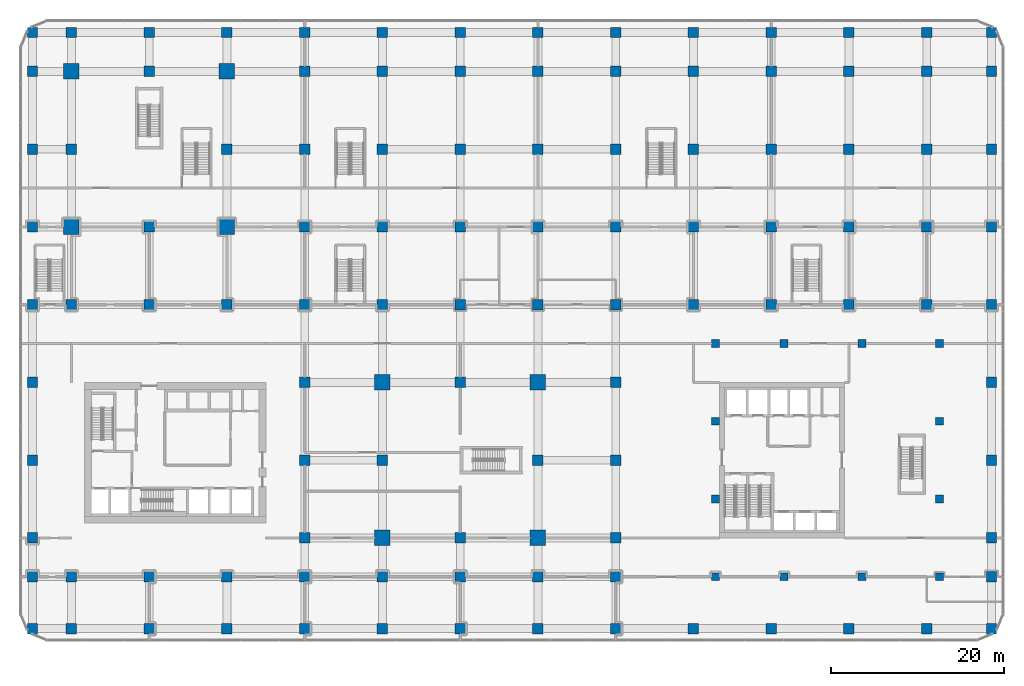
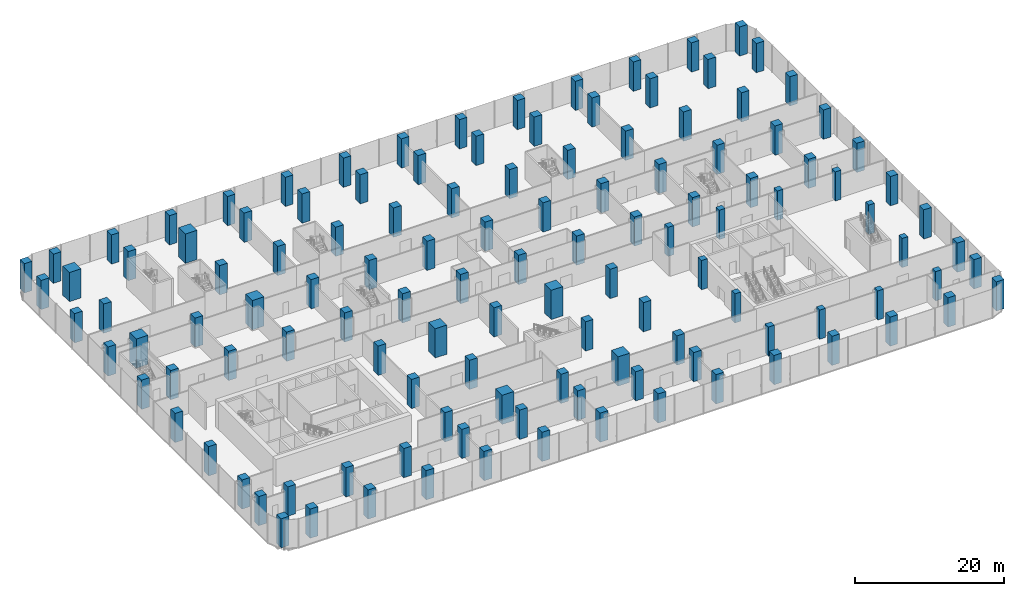
# One storey, part 1 of 42: 125 columns.
"""IFC4 building model written with IfcOpenShell, lengths in metres."""

from ifc_helpers import new_model, si_unit, direction, frame, origin, origin_2d, place, context, subcontext, project, spatial, rectangle, extrude, material, material_profile, profile_set, type_object, element, save


model = new_model("IFC4")

# Units and contexts
model_context = context("Model", 3, precision=1e-05, world=origin(), true_north=direction((0.0, 1.0)))
body_context = subcontext(model_context, "Body", "Model", "MODEL_VIEW")
ifc_project = project(units=[si_unit("LENGTHUNIT", "METRE"), si_unit("AREAUNIT", "SQUARE_METRE"), si_unit("VOLUMEUNIT", "CUBIC_METRE"), si_unit("PLANEANGLEUNIT", "RADIAN"), si_unit("MASSUNIT", "GRAM", prefix="KILO")], contexts=[model_context])

# Site, building, storey
site_placement = place(None, origin())
site = spatial("IfcSite", under=ifc_project, at=site_placement, CompositionType="ELEMENT")
building_placement = place(site_placement, origin())
building = spatial("IfcBuilding", under=site, at=building_placement, Name="Plateau Cross Towers", CompositionType="ELEMENT")
storey_placement = place(building_placement, frame((0.0, 0.0, 8.0)))
storey = spatial("IfcBuildingStorey", under=building, at=storey_placement, Name="L01", CompositionType="ELEMENT", Elevation=8.0)

# Columns
ifc_material = material(Name="Concrete C60/75", Category="concrete")
ifc_material_profile_1 = material_profile(ifc_material, rectangle(XDim=0.89990234375, YDim=0.89990234375, at=origin_2d()), Name="RC 900x900")
ifc_profile_set_1 = profile_set([ifc_material_profile_1], Name="Concrete C60/75")
column_type_1 = type_object("IfcColumnType", Name="Office column RC 900x900", PredefinedType="COLUMN", material=ifc_profile_set_1)
for number, where, z_axis, x_axis, name in (
    (1, (74.550048828125, -4.5, 0.0), (0.0, 0.0, 1.0), (1.0, 0.0, 0.0), "B-C746_-45 L01"),
    (2, (82.5, -4.5, 0.0), (0.0, 0.0, 1.0), (1.0, 0.0, 0.0), "B-C825_-45 L01"),
    (3, (91.5, -4.5, 0.0), (0.0, 0.0, 1.0), (1.0, 0.0, 0.0), "B-C915_-45 L01"),
    (4, (100.5, -4.5, 0.0), (0.0, 0.0, 1.0), (1.0, 0.0, 0.0), "B-C1005_-45 L01"),
    (5, (100.5, 4.5, 0.0), (0.0, 0.0, 1.0), (1.0, 0.0, 0.0), "B-C1005_45 L01"),
    (6, (100.5, 13.5, 0.0), (0.0, 0.0, 1.0), (1.0, 0.0, 0.0), "B-C1005_135 L01"),
    (7, (100.5, 22.5, 0.0), (0.0, 0.0, 1.0), (1.0, 0.0, 0.0), "B-C1005_225 L01"),
    (8, (91.5, 22.5, 0.0), (0.0, 0.0, 1.0), (1.0, 0.0, 0.0), "B-C915_225 L01"),
    (9, (82.5, 22.5, 0.0), (0.0, 0.0, 1.0), (1.0, 0.0, 0.0), "B-C825_225 L01"),
    (10, (74.550048828125, 22.5, 0.0), (0.0, 0.0, 1.0), (1.0, 0.0, 0.0), "B-C746_225 L01"),
    (11, (74.550048828125, 13.5, 0.0), (0.0, 0.0, 1.0), (1.0, 0.0, 0.0), "B-C746_135 L01"),
    (12, (74.550048828125, 4.5, 0.0), (0.0, 0.0, 1.0), (1.0, 0.0, 0.0), "B-C746_45 L01"),
):
    element("IfcColumn", number, at=place(storey_placement, frame(where, z_axis=z_axis, x_axis=x_axis)), inside=storey, type_object=column_type_1, Name=name, PredefinedType="COLUMN", context=body_context, shape_type="SweptSolid", body=[
        extrude(rectangle(XDim=0.89990234375, YDim=0.89990234375, at=origin_2d()), origin(), (0.0, 0.0, 1.0), 4.800048828125),
    ])
ifc_material_profile_2 = material_profile(ifc_material, rectangle(XDim=1.199951171875, YDim=1.199951171875, at=origin_2d()), Name="RC 1200x1200")
ifc_profile_set_2 = profile_set([ifc_material_profile_2], Name="Concrete C60/75")
column_type_2 = type_object("IfcColumnType", Name="Podium column RC 1200x1200", PredefinedType="COLUMN", material=ifc_profile_set_2)
for number, where, z_axis, x_axis, name in (
    (13, (-4.5, -10.5, 0.0), (0.0, 0.0, 1.0), (1.0, 0.0, 0.0), "P-C-45_-105 L01"),
    (14, (-4.5, -4.5, 0.0), (0.0, 0.0, 1.0), (1.0, 0.0, 0.0), "P-C-45_-45 L01"),
    (15, (-4.5, 0.0, 0.0), (0.0, 0.0, 1.0), (1.0, 0.0, 0.0), "P-C-45_0 L01"),
    (16, (-4.5, 9.0, 0.0), (0.0, 0.0, 1.0), (1.0, 0.0, 0.0), "P-C-45_90 L01"),
    (17, (-4.5, 18.0, 0.0), (0.0, 0.0, 1.0), (1.0, 0.0, 0.0), "P-C-45_180 L01"),
    (18, (-4.5, 27.0, 0.0), (0.0, 0.0, 1.0), (1.0, 0.0, 0.0), "P-C-45_270 L01"),
    (19, (-4.5, 36.0, 0.0), (0.0, 0.0, 1.0), (1.0, 0.0, 0.0), "P-C-45_360 L01"),
    (20, (-4.5, 45.0, 0.0), (0.0, 0.0, 1.0), (1.0, 0.0, 0.0), "P-C-45_450 L01"),
    (21, (-4.5, 54.0, 0.0), (0.0, 0.0, 1.0), (1.0, 0.0, 0.0), "P-C-45_540 L01"),
    (22, (-4.5, 58.5, 0.0), (0.0, 0.0, 1.0), (1.0, 0.0, 0.0), "P-C-45_585 L01"),
    (23, (0.0, -10.5, 0.0), (0.0, 0.0, 1.0), (1.0, 0.0, 0.0), "P-C0_-105 L01"),
    (24, (0.0, -4.5, 0.0), (0.0, 0.0, 1.0), (1.0, 0.0, 0.0), "P-C0_-45 L01"),
    (25, (0.0, 27.0, 0.0), (0.0, 0.0, 1.0), (1.0, 0.0, 0.0), "P-C0_270 L01"),
    (26, (0.0, 45.0, 0.0), (0.0, 0.0, 1.0), (1.0, 0.0, 0.0), "P-C0_450 L01"),
    (27, (0.0, 58.5, 0.0), (0.0, 0.0, 1.0), (1.0, 0.0, 0.0), "P-C0_585 L01"),
    (28, (9.0, -10.5, 0.0), (0.0, 0.0, 1.0), (1.0, 0.0, 0.0), "P-C90_-105 L01"),
    (29, (9.0, -4.5, 0.0), (0.0, 0.0, 1.0), (1.0, 0.0, 0.0), "P-C90_-45 L01"),
    (30, (9.0, 27.0, 0.0), (0.0, 0.0, 1.0), (1.0, 0.0, 0.0), "P-C90_270 L01"),
    (31, (9.0, 36.0, 0.0), (0.0, 0.0, 1.0), (1.0, 0.0, 0.0), "P-C90_360 L01"),
    (32, (9.0, 54.0, 0.0), (0.0, 0.0, 1.0), (1.0, 0.0, 0.0), "P-C90_540 L01"),
    (33, (9.0, 58.5, 0.0), (0.0, 0.0, 1.0), (1.0, 0.0, 0.0), "P-C90_585 L01"),
    (34, (18.0, -10.5, 0.0), (0.0, 0.0, 1.0), (1.0, 0.0, 0.0), "P-C180_-105 L01"),
    (35, (18.0, -4.5, 0.0), (0.0, 0.0, 1.0), (1.0, 0.0, 0.0), "P-C180_-45 L01"),
    (36, (18.0, 27.0, 0.0), (0.0, 0.0, 1.0), (1.0, 0.0, 0.0), "P-C180_270 L01"),
    (37, (18.0, 45.0, 0.0), (0.0, 0.0, 1.0), (1.0, 0.0, 0.0), "P-C180_450 L01"),
    (38, (18.0, 58.5, 0.0), (0.0, 0.0, 1.0), (1.0, 0.0, 0.0), "P-C180_585 L01"),
    (39, (27.0, -10.5, 0.0), (0.0, 0.0, 1.0), (1.0, 0.0, 0.0), "P-C270_-105 L01"),
    (40, (27.0, -4.5, 0.0), (0.0, 0.0, 1.0), (1.0, 0.0, 0.0), "P-C270_-45 L01"),
    (41, (27.0, 0.0, 0.0), (0.0, 0.0, 1.0), (1.0, 0.0, 0.0), "P-C270_0 L01"),
    (42, (27.0, 9.0, 0.0), (0.0, 0.0, 1.0), (1.0, 0.0, 0.0), "P-C270_90 L01"),
    (43, (27.0, 18.0, 0.0), (0.0, 0.0, 1.0), (1.0, 0.0, 0.0), "P-C270_180 L01"),
    (44, (27.0, 27.0, 0.0), (0.0, 0.0, 1.0), (1.0, 0.0, 0.0), "P-C270_270 L01"),
    (45, (27.0, 36.0, 0.0), (0.0, 0.0, 1.0), (1.0, 0.0, 0.0), "P-C270_360 L01"),
    (46, (27.0, 45.0, 0.0), (0.0, 0.0, 1.0), (1.0, 0.0, 0.0), "P-C270_450 L01"),
    (47, (27.0, 54.0, 0.0), (0.0, 0.0, 1.0), (1.0, 0.0, 0.0), "P-C270_540 L01"),
    (48, (27.0, 58.5, 0.0), (0.0, 0.0, 1.0), (1.0, 0.0, 0.0), "P-C270_585 L01"),
    (49, (36.0, -10.5, 0.0), (0.0, 0.0, 1.0), (1.0, 0.0, 0.0), "P-C360_-105 L01"),
    (50, (36.0, -4.5, 0.0), (0.0, 0.0, 1.0), (1.0, 0.0, 0.0), "P-C360_-45 L01"),
    (51, (36.0, 9.0, 0.0), (0.0, 0.0, 1.0), (1.0, 0.0, 0.0), "P-C360_90 L01"),
    (52, (36.0, 27.0, 0.0), (0.0, 0.0, 1.0), (1.0, 0.0, 0.0), "P-C360_270 L01"),
    (53, (36.0, 36.0, 0.0), (0.0, 0.0, 1.0), (1.0, 0.0, 0.0), "P-C360_360 L01"),
    (54, (36.0, 45.0, 0.0), (0.0, 0.0, 1.0), (1.0, 0.0, 0.0), "P-C360_450 L01"),
    (55, (36.0, 54.0, 0.0), (0.0, 0.0, 1.0), (1.0, 0.0, 0.0), "P-C360_540 L01"),
    (56, (36.0, 58.5, 0.0), (0.0, 0.0, 1.0), (1.0, 0.0, 0.0), "P-C360_585 L01"),
    (57, (45.0, -10.5, 0.0), (0.0, 0.0, 1.0), (1.0, 0.0, 0.0), "P-C450_-105 L01"),
    (58, (45.0, -4.5, 0.0), (0.0, 0.0, 1.0), (1.0, 0.0, 0.0), "P-C450_-45 L01"),
    (59, (45.0, 0.0, 0.0), (0.0, 0.0, 1.0), (1.0, 0.0, 0.0), "P-C450_0 L01"),
    (60, (45.0, 18.0, 0.0), (0.0, 0.0, 1.0), (1.0, 0.0, 0.0), "P-C450_180 L01"),
    (61, (45.0, 27.0, 0.0), (0.0, 0.0, 1.0), (1.0, 0.0, 0.0), "P-C450_270 L01"),
    (62, (45.0, 36.0, 0.0), (0.0, 0.0, 1.0), (1.0, 0.0, 0.0), "P-C450_360 L01"),
    (63, (45.0, 45.0, 0.0), (0.0, 0.0, 1.0), (1.0, 0.0, 0.0), "P-C450_450 L01"),
    (64, (45.0, 54.0, 0.0), (0.0, 0.0, 1.0), (1.0, 0.0, 0.0), "P-C450_540 L01"),
    (65, (45.0, 58.5, 0.0), (0.0, 0.0, 1.0), (1.0, 0.0, 0.0), "P-C450_585 L01"),
    (66, (54.0, -10.5, 0.0), (0.0, 0.0, 1.0), (1.0, 0.0, 0.0), "P-C540_-105 L01"),
    (67, (54.0, -4.5, 0.0), (0.0, 0.0, 1.0), (1.0, 0.0, 0.0), "P-C540_-45 L01"),
    (68, (54.0, 9.0, 0.0), (0.0, 0.0, 1.0), (1.0, 0.0, 0.0), "P-C540_90 L01"),
    (69, (54.0, 27.0, 0.0), (0.0, 0.0, 1.0), (1.0, 0.0, 0.0), "P-C540_270 L01"),
    (70, (54.0, 36.0, 0.0), (0.0, 0.0, 1.0), (1.0, 0.0, 0.0), "P-C540_360 L01"),
    (71, (54.0, 45.0, 0.0), (0.0, 0.0, 1.0), (1.0, 0.0, 0.0), "P-C540_450 L01"),
    (72, (54.0, 54.0, 0.0), (0.0, 0.0, 1.0), (1.0, 0.0, 0.0), "P-C540_540 L01"),
    (73, (54.0, 58.5, 0.0), (0.0, 0.0, 1.0), (1.0, 0.0, 0.0), "P-C540_585 L01"),
    (74, (63.0, -10.5, 0.0), (0.0, 0.0, 1.0), (1.0, 0.0, 0.0), "P-C630_-105 L01"),
    (75, (63.0, -4.5, 0.0), (0.0, 0.0, 1.0), (1.0, 0.0, 0.0), "P-C630_-45 L01"),
    (76, (63.0, 0.0, 0.0), (0.0, 0.0, 1.0), (1.0, 0.0, 0.0), "P-C630_0 L01"),
    (77, (63.0, 9.0, 0.0), (0.0, 0.0, 1.0), (1.0, 0.0, 0.0), "P-C630_90 L01"),
    (78, (63.0, 18.0, 0.0), (0.0, 0.0, 1.0), (1.0, 0.0, 0.0), "P-C630_180 L01"),
    (79, (63.0, 27.0, 0.0), (0.0, 0.0, 1.0), (1.0, 0.0, 0.0), "P-C630_270 L01"),
    (80, (63.0, 36.0, 0.0), (0.0, 0.0, 1.0), (1.0, 0.0, 0.0), "P-C630_360 L01"),
    (81, (63.0, 45.0, 0.0), (0.0, 0.0, 1.0), (1.0, 0.0, 0.0), "P-C630_450 L01"),
    (82, (63.0, 54.0, 0.0), (0.0, 0.0, 1.0), (1.0, 0.0, 0.0), "P-C630_540 L01"),
    (83, (63.0, 58.5, 0.0), (0.0, 0.0, 1.0), (1.0, 0.0, 0.0), "P-C630_585 L01"),
    (84, (72.0, -10.5, 0.0), (0.0, 0.0, 1.0), (1.0, 0.0, 0.0), "P-C720_-105 L01"),
    (85, (72.0, 27.0, 0.0), (0.0, 0.0, 1.0), (1.0, 0.0, 0.0), "P-C720_270 L01"),
    (86, (72.0, 36.0, 0.0), (0.0, 0.0, 1.0), (1.0, 0.0, 0.0), "P-C720_360 L01"),
    (87, (72.0, 45.0, 0.0), (0.0, 0.0, 1.0), (1.0, 0.0, 0.0), "P-C720_450 L01"),
    (88, (72.0, 54.0, 0.0), (0.0, 0.0, 1.0), (1.0, 0.0, 0.0), "P-C720_540 L01"),
    (89, (72.0, 58.5, 0.0), (0.0, 0.0, 1.0), (1.0, 0.0, 0.0), "P-C720_585 L01"),
    (90, (81.0, -10.5, 0.0), (0.0, 0.0, 1.0), (1.0, 0.0, 0.0), "P-C810_-105 L01"),
    (91, (81.0, 27.0, 0.0), (0.0, 0.0, 1.0), (1.0, 0.0, 0.0), "P-C810_270 L01"),
    (92, (81.0, 36.0, 0.0), (0.0, 0.0, 1.0), (1.0, 0.0, 0.0), "P-C810_360 L01"),
    (93, (81.0, 45.0, 0.0), (0.0, 0.0, 1.0), (1.0, 0.0, 0.0), "P-C810_450 L01"),
    (94, (81.0, 54.0, 0.0), (0.0, 0.0, 1.0), (1.0, 0.0, 0.0), "P-C810_540 L01"),
    (95, (81.0, 58.5, 0.0), (0.0, 0.0, 1.0), (1.0, 0.0, 0.0), "P-C810_585 L01"),
    (96, (90.0, -10.5, 0.0), (0.0, 0.0, 1.0), (1.0, 0.0, 0.0), "P-C900_-105 L01"),
    (97, (90.0, 27.0, 0.0), (0.0, 0.0, 1.0), (1.0, 0.0, 0.0), "P-C900_270 L01"),
    (98, (90.0, 36.0, 0.0), (0.0, 0.0, 1.0), (1.0, 0.0, 0.0), "P-C900_360 L01"),
    (99, (90.0, 45.0, 0.0), (0.0, 0.0, 1.0), (1.0, 0.0, 0.0), "P-C900_450 L01"),
    (100, (90.0, 54.0, 0.0), (0.0, 0.0, 1.0), (1.0, 0.0, 0.0), "P-C900_540 L01"),
    (101, (90.0, 58.5, 0.0), (0.0, 0.0, 1.0), (1.0, 0.0, 0.0), "P-C900_585 L01"),
    (102, (99.0, -10.5, 0.0), (0.0, 0.0, 1.0), (1.0, 0.0, 0.0), "P-C990_-105 L01"),
    (103, (99.0, 27.0, 0.0), (0.0, 0.0, 1.0), (1.0, 0.0, 0.0), "P-C990_270 L01"),
    (104, (99.0, 36.0, 0.0), (0.0, 0.0, 1.0), (1.0, 0.0, 0.0), "P-C990_360 L01"),
    (105, (99.0, 45.0, 0.0), (0.0, 0.0, 1.0), (1.0, 0.0, 0.0), "P-C990_450 L01"),
    (106, (99.0, 54.0, 0.0), (0.0, 0.0, 1.0), (1.0, 0.0, 0.0), "P-C990_540 L01"),
    (107, (99.0, 58.5, 0.0), (0.0, 0.0, 1.0), (1.0, 0.0, 0.0), "P-C990_585 L01"),
    (108, (106.5, -10.5, 0.0), (0.0, 0.0, 1.0), (1.0, 0.0, 0.0), "P-C1065_-105 L01"),
    (109, (106.5, -4.5, 0.0), (0.0, 0.0, 1.0), (1.0, 0.0, 0.0), "P-C1065_-45 L01"),
    (110, (106.5, 0.0, 0.0), (0.0, 0.0, 1.0), (1.0, 0.0, 0.0), "P-C1065_0 L01"),
    (111, (106.5, 9.0, 0.0), (0.0, 0.0, 1.0), (1.0, 0.0, 0.0), "P-C1065_90 L01"),
    (112, (106.5, 18.0, 0.0), (0.0, 0.0, 1.0), (1.0, 0.0, 0.0), "P-C1065_180 L01"),
    (113, (106.5, 27.0, 0.0), (0.0, 0.0, 1.0), (1.0, 0.0, 0.0), "P-C1065_270 L01"),
    (114, (106.5, 36.0, 0.0), (0.0, 0.0, 1.0), (1.0, 0.0, 0.0), "P-C1065_360 L01"),
    (115, (106.5, 45.0, 0.0), (0.0, 0.0, 1.0), (1.0, 0.0, 0.0), "P-C1065_450 L01"),
    (116, (106.5, 54.0, 0.0), (0.0, 0.0, 1.0), (1.0, 0.0, 0.0), "P-C1065_540 L01"),
    (117, (106.5, 58.5, 0.0), (0.0, 0.0, 1.0), (1.0, 0.0, 0.0), "P-C1065_585 L01"),
):
    element("IfcColumn", number, at=place(storey_placement, frame(where, z_axis=z_axis, x_axis=x_axis)), inside=storey, type_object=column_type_2, Name=name, PredefinedType="COLUMN", context=body_context, shape_type="SweptSolid", body=[
        extrude(rectangle(XDim=1.199951171875, YDim=1.199951171875, at=origin_2d()), origin(), (0.0, 0.0, 1.0), 4.800048828125),
    ])
ifc_material_profile_3 = material_profile(ifc_material, rectangle(XDim=1.800048828125, YDim=1.800048828125, at=origin_2d()), Name="RC 1800x1800")
ifc_profile_set_3 = profile_set([ifc_material_profile_3], Name="Concrete C60/75")
column_type_3 = type_object("IfcColumnType", Name="Transfer column RC 1800x1800", PredefinedType="COLUMN", material=ifc_profile_set_3)
for number, where, z_axis, x_axis, name in (
    (118, (0.0, 36.0, 0.0), (0.0, 0.0, 1.0), (1.0, 0.0, 0.0), "P-C0_360 L01"),
    (119, (0.0, 54.0, 0.0), (0.0, 0.0, 1.0), (1.0, 0.0, 0.0), "P-C0_540 L01"),
    (120, (18.0, 36.0, 0.0), (0.0, 0.0, 1.0), (1.0, 0.0, 0.0), "P-C180_360 L01"),
    (121, (18.0, 54.0, 0.0), (0.0, 0.0, 1.0), (1.0, 0.0, 0.0), "P-C180_540 L01"),
    (122, (36.0, 0.0, 0.0), (0.0, 0.0, 1.0), (1.0, 0.0, 0.0), "P-C360_0 L01"),
    (123, (36.0, 18.0, 0.0), (0.0, 0.0, 1.0), (1.0, 0.0, 0.0), "P-C360_180 L01"),
    (124, (54.0, 0.0, 0.0), (0.0, 0.0, 1.0), (1.0, 0.0, 0.0), "P-C540_0 L01"),
    (125, (54.0, 18.0, 0.0), (0.0, 0.0, 1.0), (1.0, 0.0, 0.0), "P-C540_180 L01"),
):
    element("IfcColumn", number, at=place(storey_placement, frame(where, z_axis=z_axis, x_axis=x_axis)), inside=storey, type_object=column_type_3, Name=name, PredefinedType="COLUMN", context=body_context, shape_type="SweptSolid", body=[
        extrude(rectangle(XDim=1.800048828125, YDim=1.800048828125, at=origin_2d()), origin(), (0.0, 0.0, 1.0), 4.800048828125),
    ])

save(model, "model.ifc")
